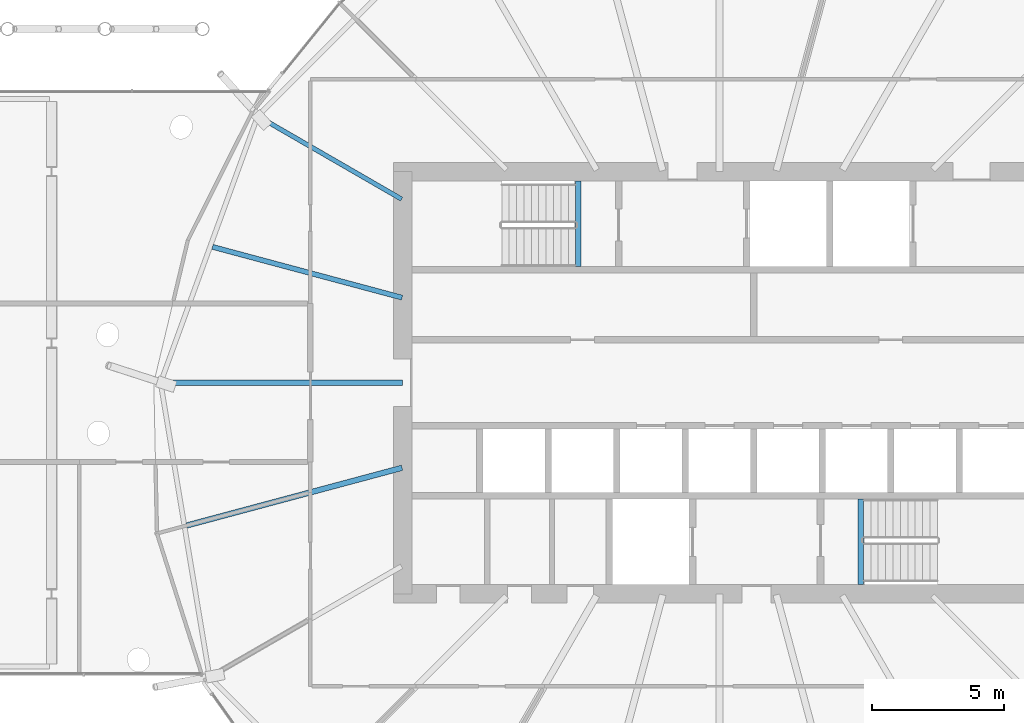
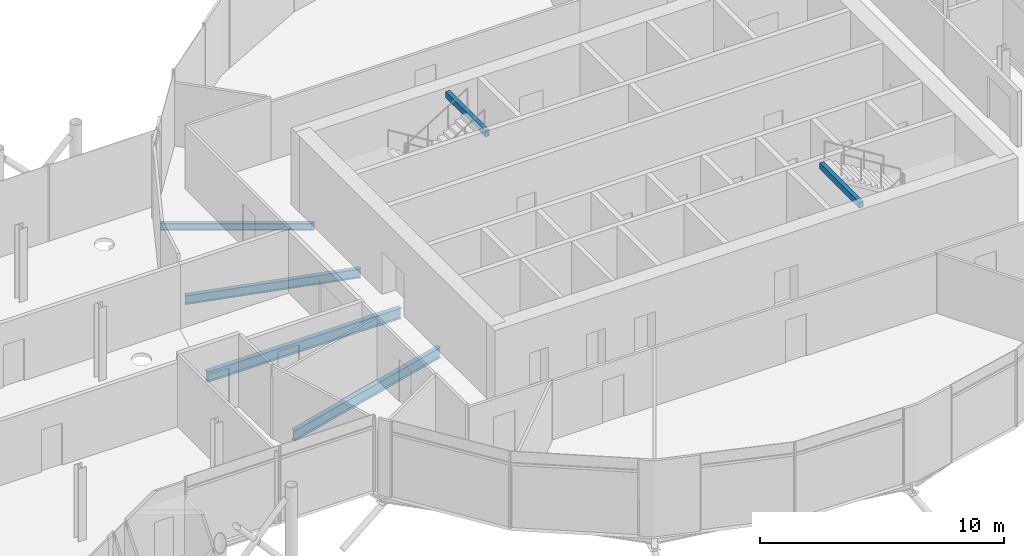
# One storey, part 15 of 40: 6 beams.
"""IFC4 building model written with IfcOpenShell, lengths in metres."""

from ifc_helpers import new_model, si_unit, direction, frame, origin, origin_2d, place, context, subcontext, project, spatial, hollow_rectangle, i_section, extrude, material, material_profile, profile_set, type_object, element, save


model = new_model("IFC4")

# Units and contexts
model_context = context("Model", 3, precision=1e-05, world=origin(), true_north=direction((0.0, 1.0)))
body_context = subcontext(model_context, "Body", "Model", "MODEL_VIEW")
ifc_project = project(units=[si_unit("LENGTHUNIT", "METRE"), si_unit("AREAUNIT", "SQUARE_METRE"), si_unit("VOLUMEUNIT", "CUBIC_METRE"), si_unit("PLANEANGLEUNIT", "RADIAN"), si_unit("MASSUNIT", "GRAM", prefix="KILO")], contexts=[model_context])

# Site, building, storey
site_placement = place(None, origin())
site = spatial("IfcSite", under=ifc_project, at=site_placement, CompositionType="ELEMENT")
building_placement = place(site_placement, origin())
building = spatial("IfcBuilding", under=site, at=building_placement, Name="Rimbun Link Towers", CompositionType="ELEMENT")
storey_placement = place(building_placement, frame((0.0, 0.0, 150.60009765625)))
storey = spatial("IfcBuildingStorey", under=building, at=storey_placement, Name="L36", CompositionType="ELEMENT", Elevation=150.60009765625)

# Beams
ifc_material_1 = material(Name="Steel S355J2", Category="steel")
ifc_material_profile_1 = material_profile(ifc_material_1, hollow_rectangle(XDim=0.199951171875, YDim=0.300048828125, WallThickness=0.011962890625, at=origin_2d()), Name="BOX 300x200x12")
ifc_profile_set_1 = profile_set([ifc_material_profile_1], Name="Steel S355J2")
beam_type_1 = type_object("IfcBeamType", Name="Stair trimmer beam BOX 300x200x12", PredefinedType="BEAM", material=ifc_profile_set_1)
for number, where, z_axis, x_axis, name in (
    (1, (26.39990234375, 7.64990234375, 3.469970703125), (0.0, -1.0, 0.0), (1.0, 0.0, 0.0), "L36 ST3 stair beam 1"),
    (2, (37.10009765625, -7.64990234375, 3.469970703125), (0.0, 1.0, 0.0), (-1.0, 0.0, 0.0), "L36 ST4 stair beam 1"),
):
    element("IfcBeam", number, at=place(storey_placement, frame(where, z_axis=z_axis, x_axis=x_axis)), inside=storey, type_object=beam_type_1, Name=name, PredefinedType="BEAM", context=body_context, shape_type="SweptSolid", body=[
        extrude(hollow_rectangle(XDim=0.199951171875, YDim=0.300048828125, WallThickness=0.011962890625, at=origin_2d()), origin(), (0.0, 0.0, 1.0), 3.25),
    ])
ifc_material_2 = material(Name="Steel S355J2", Category="steel")
ifc_material_profile_2 = material_profile(ifc_material_2, i_section(OverallWidth=0.17138671875, OverallDepth=0.35498046875, WebThickness=0.00732421875, FlangeThickness=0.011474609375, at=origin_2d()), Name="UB 356x171x51")
ifc_profile_set_2 = profile_set([ifc_material_profile_2], Name="Steel S355J2")
beam_type_2 = type_object("IfcBeamType", Name="UB 356x171x51", PredefinedType="BEAM", material=ifc_profile_set_2)
beam_1_placement = place(storey_placement, frame((19.706298828125, 6.95361328125, -0.357666015625), z_axis=(-0.866029291668, 0.499993265928, 0.0), x_axis=(-0.499993265928, -0.866029291668, 0.0)))
element("IfcBeam", 3, at=beam_1_placement, inside=storey, type_object=beam_type_2, Name="Radial beam T2 L36 07", PredefinedType="BEAM", context=body_context, shape_type="SweptSolid", body=[
    extrude(i_section(OverallWidth=0.17138671875, OverallDepth=0.35498046875, WebThickness=0.00732421875, FlangeThickness=0.011474609375, at=origin_2d()), origin(), (0.0, 0.0, 1.0), 6.294921875),
])
ifc_material_3 = material(Name="Steel S355J2", Category="steel")
ifc_material_profile_3 = material_profile(ifc_material_3, i_section(OverallWidth=0.18994140625, OverallDepth=0.453369140625, WebThickness=0.008544921875, FlangeThickness=0.0126953125, at=origin_2d()), Name="UB 457x191x67")
ifc_profile_set_3 = profile_set([ifc_material_profile_3], Name="Steel S355J2")
beam_type_3 = type_object("IfcBeamType", Name="UB 457x191x67", PredefinedType="BEAM", material=ifc_profile_set_3)
beam_2_placement = place(storey_placement, frame((19.724609375, 3.22216796875, -0.40673828125), z_axis=(-0.96592620408, 0.258817635162, 0.0), x_axis=(-0.258817635162, -0.96592620408, 0.0)))
element("IfcBeam", 4, at=beam_2_placement, inside=storey, type_object=beam_type_3, Name="Radial beam T2 L36 08", PredefinedType="BEAM", context=body_context, shape_type="SweptSolid", body=[
    extrude(i_section(OverallWidth=0.18994140625, OverallDepth=0.453369140625, WebThickness=0.008544921875, FlangeThickness=0.0126953125, at=origin_2d()), origin(), (0.0, 0.0, 1.0), 7.43212890625),
])
ifc_material_4 = material(Name="Steel S355J2", Category="steel")
ifc_material_profile_4 = material_profile(ifc_material_4, i_section(OverallWidth=0.209228515625, OverallDepth=0.533203125, WebThickness=0.010009765625, FlangeThickness=0.015625, at=origin_2d()), Name="UB 533x210x92")
ifc_profile_set_4 = profile_set([ifc_material_profile_4], Name="Steel S355J2")
beam_type_4 = type_object("IfcBeamType", Name="UB 533x210x92", PredefinedType="BEAM", material=ifc_profile_set_4)
beam_3_placement = place(storey_placement, frame((19.7490234375, 0.0, -0.44677734375), z_axis=(-1.0, 0.0, 0.0), x_axis=(0.0, -1.0, 0.0)))
element("IfcBeam", 5, at=beam_3_placement, inside=storey, type_object=beam_type_4, Name="Radial beam T2 L36 09", PredefinedType="BEAM", context=body_context, shape_type="SweptSolid", body=[
    extrude(i_section(OverallWidth=0.209228515625, OverallDepth=0.533203125, WebThickness=0.010009765625, FlangeThickness=0.015625, at=origin_2d()), origin(), (0.0, 0.0, 1.0), 9.17333984375),
])
beam_4_placement = place(storey_placement, frame((19.721923828125, -3.222900390625, -0.44677734375), z_axis=(-0.965926107703, -0.258817994849, 0.0), x_axis=(0.258817994849, -0.965926107703, 0.0)))
element("IfcBeam", 6, at=beam_4_placement, inside=storey, type_object=beam_type_4, Name="Radial beam T2 L36 10", PredefinedType="BEAM", context=body_context, shape_type="SweptSolid", body=[
    extrude(i_section(OverallWidth=0.209228515625, OverallDepth=0.533203125, WebThickness=0.010009765625, FlangeThickness=0.015625, at=origin_2d()), origin(), (0.0, 0.0, 1.0), 8.4423828125),
])

save(model, "model.ifc")
